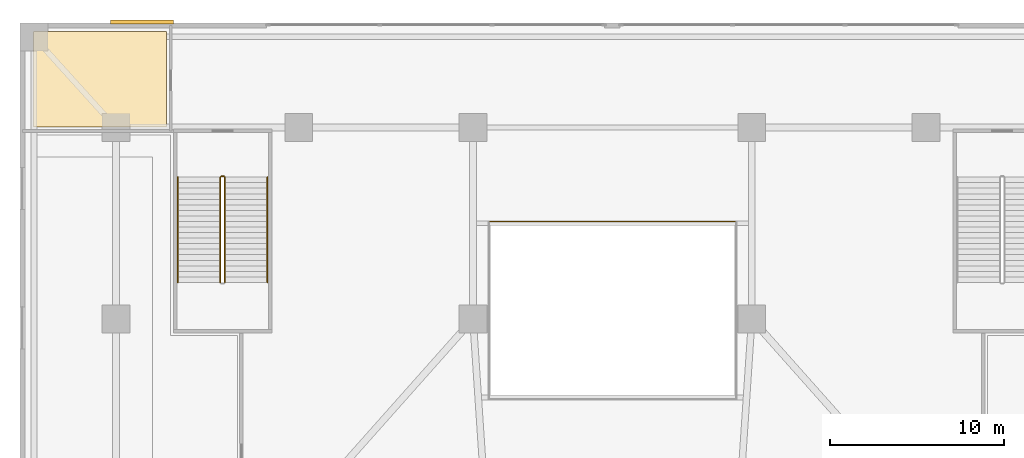
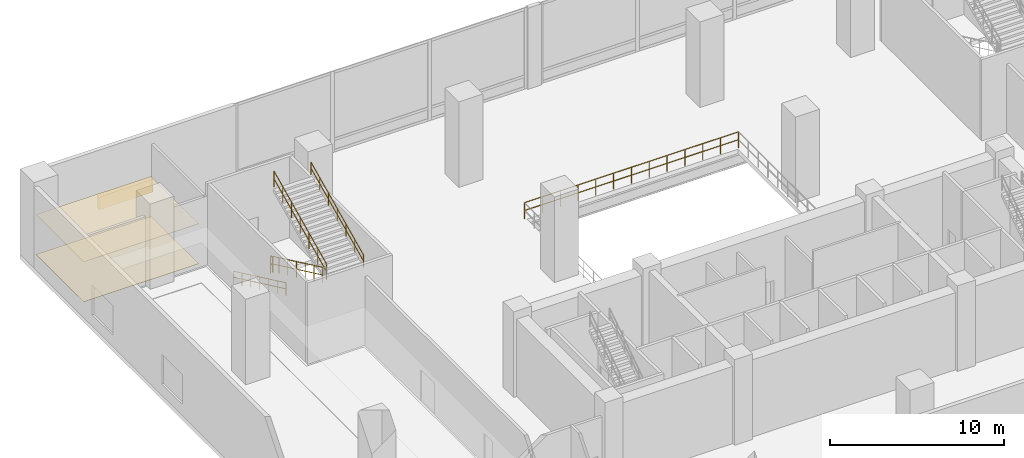
# One storey, part 14 of 16: 6 railings, 2 coverings, 1 shading device.
"""IFC4 building model written with IfcOpenShell, lengths in metres."""

from ifc_helpers import new_model, si_unit, direction, frame, origin, origin_2d, place, context, subcontext, project, spatial, polyline, rectangle, circle, outline, extrude, material, layer, layer_set, type_object, element, save


model = new_model("IFC4")

# Units and contexts
model_context = context("Model", 3, precision=1e-05, world=origin(), true_north=direction((0.0, 1.0)))
body_context = subcontext(model_context, "Body", "Model", "MODEL_VIEW")
ifc_project = project(units=[si_unit("LENGTHUNIT", "METRE"), si_unit("AREAUNIT", "SQUARE_METRE"), si_unit("VOLUMEUNIT", "CUBIC_METRE"), si_unit("PLANEANGLEUNIT", "RADIAN"), si_unit("MASSUNIT", "GRAM", prefix="KILO")], contexts=[model_context])

# Site, building, storey
site_placement = place(None, origin())
site = spatial("IfcSite", under=ifc_project, at=site_placement, CompositionType="ELEMENT")
building_placement = place(site_placement, origin())
building = spatial("IfcBuilding", under=site, at=building_placement, Name="Solmavex Isthmus Hotel", CompositionType="ELEMENT")
storey_placement = place(building_placement, frame((0.0, 0.0, 5.39990234375)))
storey = spatial("IfcBuildingStorey", under=building, at=storey_placement, Name="L02", CompositionType="ELEMENT", Elevation=5.39990234375)

# Coverings
ifc_material_1 = material(Name="Gypsum plasterboard lining", Category="gypsum")
ifc_layer_1 = layer(ifc_material_1, 0.030029296875)
ifc_layer_set_1 = layer_set([ifc_layer_1], Name="Gypsum plasterboard lining")
covering_type_1 = type_object("IfcCoveringType", Name="COV-CEIL-GYP", PredefinedType="CEILING", material=ifc_layer_set_1)
covering_1_placement = place(storey_placement, frame((0.0, 0.0, 2.800048828125)))
element("IfcCovering", 1, at=covering_1_placement, inside=storey, type_object=covering_type_1, Name="Suspended Acoustic Ceiling L02-NWR", PredefinedType="CEILING", context=body_context, shape_type="SweptSolid", body=[
    extrude(outline(polyline([(-25.580078125, 17.530029296875), (-25.580078125, 23.02001953125), (-33.219970703125, 23.02001953125), (-33.219970703125, 17.530029296875), (-25.580078125, 17.530029296875)])), origin(), (0.0, 0.0, 1.0), 0.030029296875),
])
ifc_material_2 = material(Name="Travertine natural stone", Category="masonry")
ifc_layer_2 = layer(ifc_material_2, 0.02490234375)
ifc_layer_set_2 = layer_set([ifc_layer_2], Name="Travertine natural stone")
covering_type_2 = type_object("IfcCoveringType", Name="COV-FLOR-STN", PredefinedType="FLOORING", material=ifc_layer_set_2)
covering_2_placement = place(storey_placement, origin())
element("IfcCovering", 2, at=covering_2_placement, inside=storey, type_object=covering_type_2, Name="Stone and Timber Floor Finish L02-NWR", PredefinedType="FLOORING", context=body_context, shape_type="SweptSolid", body=[
    extrude(outline(polyline([(-25.580078125, 17.530029296875), (-25.580078125, 23.02001953125), (-33.219970703125, 23.02001953125), (-33.219970703125, 17.530029296875), (-25.580078125, 17.530029296875)])), origin(), (0.0, 0.0, 1.0), 0.025146484375),
])

# Railings
ifc_material_3 = material(Name="Clear low-E laminated glass", Category="glass")
ifc_layer_3 = layer(ifc_material_3, 0.080078125)
ifc_layer_set_3 = layer_set([ifc_layer_3], Name="Clear low-E laminated glass")
railing_type_1 = type_object("IfcRailingType", Name="RAIL-ATRIUM-1120", PredefinedType="BALUSTRADE", material=ifc_layer_set_3)
railing_1_placement = place(storey_placement, frame((7.10009765625, 12.10009765625, 0.0)))
element("IfcRailing", 3, at=railing_1_placement, inside=storey, type_object=railing_type_1, Name="Guardrail Balustrade L02-ATRIUM-03", PredefinedType="BALUSTRADE", context=body_context, shape_type="SweptSolid", body=[
    extrude(circle(Radius=0.02392578125, at=origin_2d()), frame((0.0, 0.0, 1.1259765625), z_axis=(-1.0, 0.0, 0.0), x_axis=(0.0, -1.0, 0.0)), (0.0, 0.0, 1.0), 14.2001953125),
    extrude(circle(Radius=0.02392578125, at=origin_2d()), frame((0.0, 0.0, 0.574951171875), z_axis=(-1.0, 0.0, 0.0), x_axis=(0.0, -1.0, 0.0)), (0.0, 0.0, 1.0), 14.2001953125),
    extrude(circle(Radius=0.02099609375, at=origin_2d()), origin(), (0.0, 0.0, 1.0), 1.101806640625),
    extrude(circle(Radius=0.02099609375, at=origin_2d()), frame((-1.183349609375, 0.0, 0.0)), (0.0, 0.0, 1.0), 1.101806640625),
    extrude(circle(Radius=0.02099609375, at=origin_2d()), frame((-2.36669921875, 0.0, 0.0)), (0.0, 0.0, 1.0), 1.101806640625),
    extrude(circle(Radius=0.02099609375, at=origin_2d()), frame((-3.550048828125, 0.0, 0.0)), (0.0, 0.0, 1.0), 1.101806640625),
    extrude(circle(Radius=0.02099609375, at=origin_2d()), frame((-4.7333984375, 0.0, 0.0)), (0.0, 0.0, 1.0), 1.101806640625),
    extrude(circle(Radius=0.02099609375, at=origin_2d()), frame((-5.916748046875, 0.0, 0.0)), (0.0, 0.0, 1.0), 1.101806640625),
    extrude(circle(Radius=0.02099609375, at=origin_2d()), frame((-7.10009765625, 0.0, 0.0)), (0.0, 0.0, 1.0), 1.101806640625),
    extrude(circle(Radius=0.02099609375, at=origin_2d()), frame((-8.283447265625, 0.0, 0.0)), (0.0, 0.0, 1.0), 1.101806640625),
    extrude(circle(Radius=0.02099609375, at=origin_2d()), frame((-9.466796875, 0.0, 0.0)), (0.0, 0.0, 1.0), 1.101806640625),
    extrude(circle(Radius=0.02099609375, at=origin_2d()), frame((-10.650146484375, 0.0, 0.0)), (0.0, 0.0, 1.0), 1.101806640625),
    extrude(circle(Radius=0.02099609375, at=origin_2d()), frame((-11.83349609375, 0.0, 0.0)), (0.0, 0.0, 1.0), 1.101806640625),
    extrude(circle(Radius=0.02099609375, at=origin_2d()), frame((-13.016845703125, 0.0, 0.0)), (0.0, 0.0, 1.0), 1.101806640625),
    extrude(circle(Radius=0.02099609375, at=origin_2d()), frame((-14.2001953125, 0.0, 0.0)), (0.0, 0.0, 1.0), 1.101806640625),
])
ifc_material_4 = material(Name="Stainless steel 316", Category="steel")
ifc_layer_4 = layer(ifc_material_4, 0.06005859375)
ifc_layer_set_4 = layer_set([ifc_layer_4], Name="Stainless steel 316")
railing_type_2 = type_object("IfcRailingType", Name="RAIL-STAIR-GD", PredefinedType="GUARDRAIL", material=ifc_layer_set_4)
railing_2_placement = place(storey_placement, frame((-22.5, 14.64990234375, 0.150146484375)))
element("IfcRailing", 4, at=railing_2_placement, inside=storey, type_object=railing_type_2, Name="L02 ST-4 stair guard 1", PredefinedType="GUARDRAIL", context=body_context, shape_type="SweptSolid", body=[
    extrude(circle(Radius=0.02392578125, at=origin_2d()), frame((0.0, 0.0, 1.09619140625), z_axis=(0.0, -0.904439840197, 0.426601190182), x_axis=(1.0, 0.0, 0.0)), (0.0, 0.0, 1.0), 6.680419921875),
    extrude(circle(Radius=0.02392578125, at=origin_2d()), frame((0.0, 0.0, 0.56005859375), z_axis=(0.0, -0.904439840197, 0.426601190182), x_axis=(1.0, 0.0, 0.0)), (0.0, 0.0, 1.0), 6.680419921875),
    extrude(circle(Radius=0.02099609375, at=origin_2d()), origin(), (0.0, 0.0, 1.0), 1.072021484375),
    extrude(circle(Radius=0.02099609375, at=origin_2d()), frame((0.0, -1.007080078125, 0.47509765625)), (0.0, 0.0, 1.0), 1.072021484375),
    extrude(circle(Radius=0.02099609375, at=origin_2d()), frame((0.0, -2.013916015625, 0.949951171875)), (0.0, 0.0, 1.0), 1.072021484375),
    extrude(circle(Radius=0.02099609375, at=origin_2d()), frame((0.0, -3.02099609375, 1.4248046875)), (0.0, 0.0, 1.0), 1.072021484375),
    extrude(circle(Radius=0.02099609375, at=origin_2d()), frame((0.0, -4.028076171875, 1.89990234375)), (0.0, 0.0, 1.0), 1.072021484375),
    extrude(circle(Radius=0.02099609375, at=origin_2d()), frame((0.0, -5.034912109375, 2.375)), (0.0, 0.0, 1.0), 1.072021484375),
    extrude(circle(Radius=0.02099609375, at=origin_2d()), frame((0.0, -6.0419921875, 2.849853515625)), (0.0, 0.0, 1.0), 1.072021484375),
])
railing_3_placement = place(storey_placement, frame((-22.25, 8.60791015625, 3.150146484375)))
element("IfcRailing", 5, at=railing_3_placement, inside=storey, type_object=railing_type_2, Name="L02 ST-4 stair guard 3", PredefinedType="GUARDRAIL", context=body_context, shape_type="SweptSolid", body=[
    extrude(circle(Radius=0.02392578125, at=origin_2d()), frame((0.0, 0.0, 1.09619140625), z_axis=(0.0, 0.904439840197, 0.426601190182), x_axis=(-1.0, 0.0, 0.0)), (0.0, 0.0, 1.0), 6.680419921875),
    extrude(circle(Radius=0.02392578125, at=origin_2d()), frame((0.0, 0.0, 0.56005859375), z_axis=(0.0, 0.904439840197, 0.426601190182), x_axis=(-1.0, 0.0, 0.0)), (0.0, 0.0, 1.0), 6.680419921875),
    extrude(circle(Radius=0.02099609375, at=origin_2d()), origin(), (0.0, 0.0, 1.0), 1.072021484375),
    extrude(circle(Radius=0.02099609375, at=origin_2d()), frame((0.0, 1.007080078125, 0.47509765625)), (0.0, 0.0, 1.0), 1.072021484375),
    extrude(circle(Radius=0.02099609375, at=origin_2d()), frame((0.0, 2.013916015625, 0.949951171875)), (0.0, 0.0, 1.0), 1.072021484375),
    extrude(circle(Radius=0.02099609375, at=origin_2d()), frame((0.0, 3.02099609375, 1.4248046875)), (0.0, 0.0, 1.0), 1.072021484375),
    extrude(circle(Radius=0.02099609375, at=origin_2d()), frame((0.0, 4.028076171875, 1.89990234375)), (0.0, 0.0, 1.0), 1.072021484375),
    extrude(circle(Radius=0.02099609375, at=origin_2d()), frame((0.0, 5.034912109375, 2.375)), (0.0, 0.0, 1.0), 1.072021484375),
    extrude(circle(Radius=0.02099609375, at=origin_2d()), frame((0.0, 6.0419921875, 2.849853515625)), (0.0, 0.0, 1.0), 1.072021484375),
])
railing_4_placement = place(storey_placement, frame((-22.449951171875, 14.699951171875, 0.0)))
element("IfcRailing", 6, at=railing_4_placement, inside=storey, type_object=railing_type_2, Name="L02 ST-4 stair guard 4", PredefinedType="GUARDRAIL", context=body_context, shape_type="SweptSolid", body=[
    extrude(circle(Radius=0.02392578125, at=origin_2d()), frame((0.0, 0.0, 1.09619140625), z_axis=(1.0, 0.0, 0.0), x_axis=(0.0, 1.0, 0.0)), (0.0, 0.0, 1.0), 0.14990234375),
    extrude(circle(Radius=0.02392578125, at=origin_2d()), frame((0.0, 0.0, 0.56005859375), z_axis=(1.0, 0.0, 0.0), x_axis=(0.0, 1.0, 0.0)), (0.0, 0.0, 1.0), 0.14990234375),
    extrude(circle(Radius=0.02099609375, at=origin_2d()), origin(), (0.0, 0.0, 1.0), 1.072021484375),
    extrude(circle(Radius=0.02099609375, at=origin_2d()), frame((0.14990234375, 0.0, 0.0)), (0.0, 0.0, 1.0), 1.072021484375),
])
ifc_layer_5 = layer(ifc_material_4, 0.050048828125)
ifc_layer_set_5 = layer_set([ifc_layer_5], Name="Stainless steel 316")
railing_type_3 = type_object("IfcRailingType", Name="RAIL-STAIR-HR", PredefinedType="HANDRAIL", material=ifc_layer_set_5)
railing_5_placement = place(storey_placement, frame((-24.949951171875, 14.64990234375, 0.150146484375)))
element("IfcRailing", 7, at=railing_5_placement, inside=storey, type_object=railing_type_3, Name="L02 ST-4 stair handrail 1", PredefinedType="HANDRAIL", context=body_context, shape_type="SweptSolid", body=[
    extrude(circle(Radius=0.02392578125, at=origin_2d()), frame((0.0, 0.0, 0.8759765625), z_axis=(0.0, -0.904439840197, 0.426601190182), x_axis=(1.0, 0.0, 0.0)), (0.0, 0.0, 1.0), 6.680419921875),
    extrude(circle(Radius=0.02392578125, at=origin_2d()), frame((0.0, 0.0, 0.449951171875), z_axis=(0.0, -0.904439840197, 0.426601190182), x_axis=(1.0, 0.0, 0.0)), (0.0, 0.0, 1.0), 6.680419921875),
    extrude(circle(Radius=0.02099609375, at=origin_2d()), origin(), (0.0, 0.0, 1.0), 0.851806640625),
    extrude(circle(Radius=0.02099609375, at=origin_2d()), frame((0.0, -1.007080078125, 0.47509765625)), (0.0, 0.0, 1.0), 0.851806640625),
    extrude(circle(Radius=0.02099609375, at=origin_2d()), frame((0.0, -2.013916015625, 0.949951171875)), (0.0, 0.0, 1.0), 0.851806640625),
    extrude(circle(Radius=0.02099609375, at=origin_2d()), frame((0.0, -3.02099609375, 1.4248046875)), (0.0, 0.0, 1.0), 0.851806640625),
    extrude(circle(Radius=0.02099609375, at=origin_2d()), frame((0.0, -4.028076171875, 1.89990234375)), (0.0, 0.0, 1.0), 0.851806640625),
    extrude(circle(Radius=0.02099609375, at=origin_2d()), frame((0.0, -5.034912109375, 2.375)), (0.0, 0.0, 1.0), 0.851806640625),
    extrude(circle(Radius=0.02099609375, at=origin_2d()), frame((0.0, -6.0419921875, 2.849853515625)), (0.0, 0.0, 1.0), 0.851806640625),
])
railing_6_placement = place(storey_placement, frame((-19.800048828125, 8.60791015625, 3.150146484375)))
element("IfcRailing", 8, at=railing_6_placement, inside=storey, type_object=railing_type_3, Name="L02 ST-4 stair handrail 2", PredefinedType="HANDRAIL", context=body_context, shape_type="SweptSolid", body=[
    extrude(circle(Radius=0.02392578125, at=origin_2d()), frame((0.0, 0.0, 0.8759765625), z_axis=(0.0, 0.904439840197, 0.426601190182), x_axis=(-1.0, 0.0, 0.0)), (0.0, 0.0, 1.0), 6.680419921875),
    extrude(circle(Radius=0.02392578125, at=origin_2d()), frame((0.0, 0.0, 0.449951171875), z_axis=(0.0, 0.904439840197, 0.426601190182), x_axis=(-1.0, 0.0, 0.0)), (0.0, 0.0, 1.0), 6.680419921875),
    extrude(circle(Radius=0.02099609375, at=origin_2d()), origin(), (0.0, 0.0, 1.0), 0.851806640625),
    extrude(circle(Radius=0.02099609375, at=origin_2d()), frame((0.0, 1.007080078125, 0.47509765625)), (0.0, 0.0, 1.0), 0.851806640625),
    extrude(circle(Radius=0.02099609375, at=origin_2d()), frame((0.0, 2.013916015625, 0.949951171875)), (0.0, 0.0, 1.0), 0.851806640625),
    extrude(circle(Radius=0.02099609375, at=origin_2d()), frame((0.0, 3.02099609375, 1.4248046875)), (0.0, 0.0, 1.0), 0.851806640625),
    extrude(circle(Radius=0.02099609375, at=origin_2d()), frame((0.0, 4.028076171875, 1.89990234375)), (0.0, 0.0, 1.0), 0.851806640625),
    extrude(circle(Radius=0.02099609375, at=origin_2d()), frame((0.0, 5.034912109375, 2.375)), (0.0, 0.0, 1.0), 0.851806640625),
    extrude(circle(Radius=0.02099609375, at=origin_2d()), frame((0.0, 6.0419921875, 2.849853515625)), (0.0, 0.0, 1.0), 0.851806640625),
])

# Shading device
ifc_material_5 = material(Name="Aluminium alloy 6063-T6", Category="aluminium")
shading_device_type = type_object("IfcShadingDeviceType", Name="SHD-LOUVRE-BOX", PredefinedType="JALOUSIE", material=ifc_material_5)
shading_device_placement = place(storey_placement, frame((-27.0, 23.550048828125, 1.35009765625), z_axis=(0.0, 0.0, 1.0), x_axis=(1.0, 0.0, 0.0)))
element("IfcShadingDevice", 9, at=shading_device_placement, inside=storey, type_object=shading_device_type, Name="Bronze Anodised Arrival Louvre Screen L02-1", PredefinedType="JALOUSIE", context=body_context, shape_type="SweptSolid", body=[
    extrude(rectangle(XDim=3.60009765625, YDim=0.239990234375, at=origin_2d()), origin(), (0.0, 0.0, 1.0), 0.89990234375),
])

save(model, "model.ifc")
